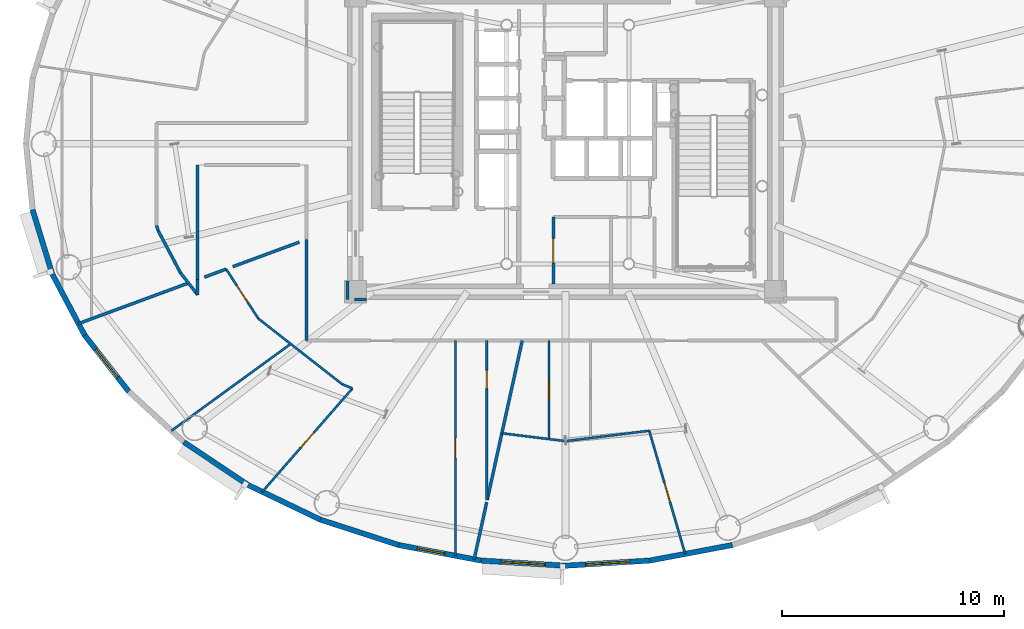
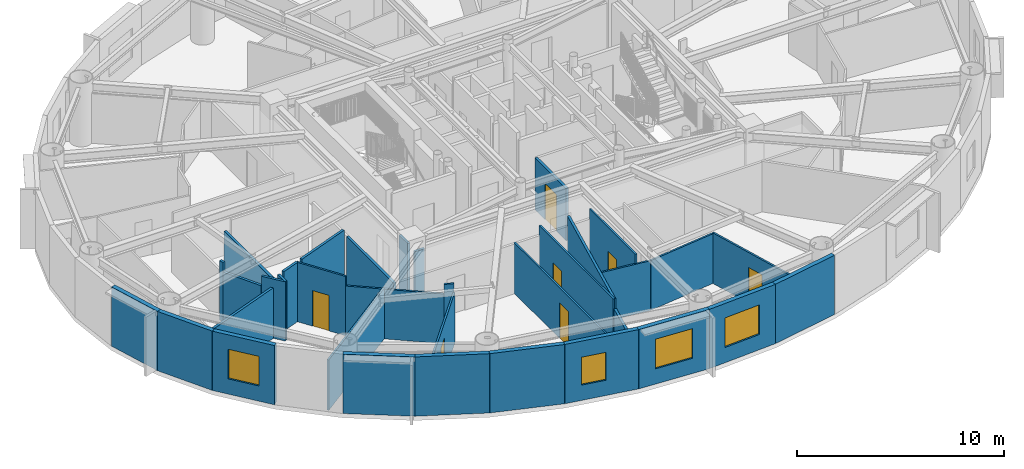
# One storey, part 9 of 22: 35 walls, 7 doors, 4 windows, 11 openings.
"""IFC4 building model written with IfcOpenShell, lengths in metres."""

from ifc_helpers import new_model, si_unit, direction, frame, frame_2d, origin, origin_2d, place, context, subcontext, project, spatial, rectangle, extrude, source, transform, mapped, material, layer, layer_set, type_object, element, fill, save


model = new_model("IFC4")

# Units and contexts
model_context = context("Model", 3, precision=1e-05, world=origin(), true_north=direction((0.0, 1.0)))
body_context = subcontext(model_context, "Body", "Model", "MODEL_VIEW")
ifc_project = project(units=[si_unit("LENGTHUNIT", "METRE"), si_unit("AREAUNIT", "SQUARE_METRE"), si_unit("VOLUMEUNIT", "CUBIC_METRE"), si_unit("PLANEANGLEUNIT", "RADIAN"), si_unit("MASSUNIT", "GRAM", prefix="KILO")], contexts=[model_context])

# Site, building, storey
site_placement = place(None, origin())
site = spatial("IfcSite", under=ifc_project, at=site_placement, CompositionType="ELEMENT")
building_placement = place(site_placement, origin())
building = spatial("IfcBuilding", under=site, at=building_placement, Name="Linh Dai School and Residence Tower", CompositionType="ELEMENT")
storey_placement = place(building_placement, frame((0.0, 0.0, 214.050048828125)))
storey = spatial("IfcBuildingStorey", under=building, at=storey_placement, Name="L52", CompositionType="ELEMENT", Elevation=214.050048828125)

# Walls
ifc_material_1 = material(Name="Precast Concrete B45 (C35/45)", Category="concrete")
ifc_layer_1 = layer(ifc_material_1, 0.239990234375)
ifc_layer_set_1 = layer_set([ifc_layer_1], Name="Precast Concrete B45 (C35/45)")
wall_type_1 = type_object("IfcWallType", Name="EW-TC-240", PredefinedType="SOLIDWALL", material=ifc_layer_set_1)
wall_1_placement = place(storey_placement, frame((12.90966796875, 21.14404296875, 0.0), z_axis=(0.0, 0.0, 1.0), x_axis=(-0.293132907334, 0.95607170162, 0.0)))
element("IfcWall", 1, at=wall_1_placement, inside=storey, type_object=wall_type_1, Name="L52 Terracotta Exterior Wall 22", PredefinedType="SOLIDWALL", context=body_context, shape_type="SweptSolid", body=[
    extrude(rectangle(XDim=3.02490234375, YDim=0.239990234375, at=frame_2d((1.512451171875, 0.0))), origin(), (0.0, 0.0, 1.0), 3.5),
])
wall_2_placement = place(storey_placement, frame((14.3642578125, 18.394775390625, 0.0), z_axis=(0.0, 0.0, 1.0), x_axis=(-0.46766049993, 0.883908172157, 0.0)))
element("IfcWall", 2, at=wall_2_placement, inside=storey, type_object=wall_type_1, Name="L52 Terracotta Exterior Wall 23", PredefinedType="SOLIDWALL", context=body_context, shape_type="SweptSolid", body=[
    extrude(rectangle(XDim=3.1103515625, YDim=0.239990234375, at=frame_2d((1.55517578125, 0.0))), origin(), (0.0, 0.0, 1.0), 3.5),
])

# Wall, opening, window
wall_3_placement = place(storey_placement, frame((16.3515625, 15.85546875, 0.0), z_axis=(0.0, 0.0, 1.0), x_axis=(-0.616312344705, 0.787501805562, 0.0)))
wall_3 = element("IfcWall", 3, at=wall_3_placement, inside=storey, type_object=wall_type_1, Name="L52 Terracotta Exterior Wall 24", PredefinedType="SOLIDWALL", context=body_context, shape_type="SweptSolid", body=[
    extrude(rectangle(XDim=3.224609375, YDim=0.239990234375, at=frame_2d((1.6123046875, 0.0))), origin(), (0.0, 0.0, 1.0), 3.5),
])
opening_1_placement = place(wall_3_placement, frame((0.81201171875, 0.0, 0.89990234375)))
opening_1 = element("IfcOpeningElement", 4, at=opening_1_placement, cuts=wall_3, Name="Opening W2", PredefinedType="OPENING", context=body_context, shape_type="SweptSolid", body=[
    extrude(rectangle(XDim=1.60009765625, YDim=1.75, at=origin_2d()), frame((0.800048828125, 0.1298828125, 0.875), z_axis=(0.0, -1.0, 0.0), x_axis=(1.0, 0.0, 0.0)), (0.0, 0.0, 1.0), 0.260009765625),
])
ifc_material_2 = material(Name="Double Low-E Insulated Glazing", Category="glass")
window_type_1 = type_object("IfcWindowType", Name="WN-RES-1600x1750", PartitioningType="DOUBLE_PANEL_VERTICAL", PredefinedType="WINDOW", material=ifc_material_2)
shared_shape_1 = source(origin(), body_context, "Body", "SweptSolid", [
    extrude(rectangle(XDim=1.60009765625, YDim=1.75, at=origin_2d()), frame((0.800048828125, 0.030029296875, 0.875), z_axis=(0.0, -1.0, 0.0), x_axis=(1.0, 0.0, 0.0)), (0.0, 0.0, 1.0), 0.06005859375),
])
window_1_placement = place(opening_1_placement, origin())
window_1 = element("IfcWindow", 5, at=window_1_placement, inside=storey, type_object=window_type_1, Name="L52 Exterior Window 24.1", OverallHeight=1.75, OverallWidth=1.60009765625, PartitioningType="DOUBLE_PANEL_VERTICAL", PredefinedType="WINDOW", context=body_context, shape_type="MappedRepresentation", body=[
    mapped(shared_shape_1, transform((0.0, 0.0, 0.0), x_axis=(1.0, 0.0, 0.0), y_axis=(0.0, 1.0, 0.0), z_axis=(0.0, 0.0, 1.0), scale=1.0)),
])
fill(opening_1, window_1)

# Walls
wall_4_placement = place(storey_placement, frame((21.719970703125, 11.65234375, 0.0), z_axis=(0.0, 0.0, 1.0), x_axis=(-0.831262496074, 0.555880079352, 0.0)))
element("IfcWall", 6, at=wall_4_placement, inside=storey, type_object=wall_type_1, Name="L52 Terracotta Exterior Wall 26", PredefinedType="SOLIDWALL", context=body_context, shape_type="SweptSolid", body=[
    extrude(rectangle(XDim=3.484130859375, YDim=0.239990234375, at=frame_2d((1.7421875, 0.0))), origin(), (0.0, 0.0, 1.0), 3.5),
])
wall_5_placement = place(storey_placement, frame((24.968994140625, 10.093505859375, 0.0), z_axis=(0.0, 0.0, 1.0), x_axis=(-0.901598104751, 0.432574684313, 0.0)))
element("IfcWall", 7, at=wall_5_placement, inside=storey, type_object=wall_type_1, Name="L52 Terracotta Exterior Wall 27", PredefinedType="SOLIDWALL", context=body_context, shape_type="SweptSolid", body=[
    extrude(rectangle(XDim=3.603515625, YDim=0.239990234375, at=frame_2d((1.8017578125, 0.0))), origin(), (0.0, 0.0, 1.0), 3.5),
])
wall_6_placement = place(storey_placement, frame((28.49072265625, 8.951171875, 0.0), z_axis=(0.0, 0.0, 1.0), x_axis=(-0.951210789182, 0.308541787354, 0.0)))
element("IfcWall", 8, at=wall_6_placement, inside=storey, type_object=wall_type_1, Name="L52 Terracotta Exterior Wall 28", PredefinedType="SOLIDWALL", context=body_context, shape_type="SweptSolid", body=[
    extrude(rectangle(XDim=3.702392578125, YDim=0.239990234375, at=frame_2d((1.85107421875, 0.0))), origin(), (0.0, 0.0, 1.0), 3.5),
])

# Wall, opening, window
wall_7_placement = place(storey_placement, frame((32.198486328125, 8.254150390625, 0.0), z_axis=(0.0, 0.0, 1.0), x_axis=(-0.982784898575, 0.184753465822, 0.0)))
wall_7 = element("IfcWall", 9, at=wall_7_placement, inside=storey, type_object=wall_type_1, Name="L52 Terracotta Exterior Wall 29", PredefinedType="SOLIDWALL", context=body_context, shape_type="SweptSolid", body=[
    extrude(rectangle(XDim=3.772705078125, YDim=0.239990234375, at=frame_2d((1.88623046875, 0.0))), origin(), (0.0, 0.0, 1.0), 3.5),
])
opening_2_placement = place(wall_7_placement, frame((1.663818359375, 0.0, 0.89990234375)))
opening_2 = element("IfcOpeningElement", 10, at=opening_2_placement, cuts=wall_7, Name="Opening W3", PredefinedType="OPENING", context=body_context, shape_type="SweptSolid", body=[
    extrude(rectangle(XDim=1.25, YDim=1.64990234375, at=origin_2d()), frame((0.625, 0.1298828125, 0.824951171875), z_axis=(0.0, -1.0, 0.0), x_axis=(1.0, 0.0, 0.0)), (0.0, 0.0, 1.0), 0.260009765625),
])
window_type_2 = type_object("IfcWindowType", Name="WN-RES-1250x1650", PartitioningType="SINGLE_PANEL", PredefinedType="WINDOW", material=ifc_material_2)
shared_shape_2 = source(origin(), body_context, "Body", "SweptSolid", [
    extrude(rectangle(XDim=1.25, YDim=1.64990234375, at=origin_2d()), frame((0.625, 0.030029296875, 0.824951171875), z_axis=(0.0, -1.0, 0.0), x_axis=(1.0, 0.0, 0.0)), (0.0, 0.0, 1.0), 0.06005859375),
])
window_2_placement = place(opening_2_placement, origin())
window_2 = element("IfcWindow", 11, at=window_2_placement, inside=storey, type_object=window_type_2, Name="L52 Exterior Window 29.1", OverallHeight=1.64990234375, OverallWidth=1.25, PartitioningType="SINGLE_PANEL", PredefinedType="WINDOW", context=body_context, shape_type="MappedRepresentation", body=[
    mapped(shared_shape_2, transform((0.0, 0.0, 0.0), x_axis=(1.0, 0.0, 0.0), y_axis=(0.0, 1.0, 0.0), z_axis=(0.0, 0.0, 1.0), scale=1.0)),
])
fill(opening_2, window_2)

wall_8_placement = place(storey_placement, frame((36.0, 8.02001953125, 0.0), z_axis=(0.0, 0.0, 1.0), x_axis=(-0.998108785312, 0.06147237333, 0.0)))
wall_8 = element("IfcWall", 12, at=wall_8_placement, inside=storey, type_object=wall_type_1, Name="L52 Terracotta Exterior Wall 30", PredefinedType="SOLIDWALL", context=body_context, shape_type="SweptSolid", body=[
    extrude(rectangle(XDim=3.808837890625, YDim=0.239990234375, at=frame_2d((1.904296875, 0.0))), origin(), (0.0, 0.0, 1.0), 3.5),
])
opening_3_placement = place(wall_8_placement, frame((0.904296875, 0.0, 0.89990234375)))
opening_3 = element("IfcOpeningElement", 13, at=opening_3_placement, cuts=wall_8, Name="Opening W1", PredefinedType="OPENING", context=body_context, shape_type="SweptSolid", body=[
    extrude(rectangle(XDim=2.0, YDim=1.75, at=origin_2d()), frame((1.0, 0.1298828125, 0.875), z_axis=(0.0, -1.0, 0.0), x_axis=(1.0, 0.0, 0.0)), (0.0, 0.0, 1.0), 0.260009765625),
])
window_type_3 = type_object("IfcWindowType", Name="WN-RES-2000x1750", PartitioningType="DOUBLE_PANEL_VERTICAL", PredefinedType="WINDOW", material=ifc_material_2)
shared_shape_3 = source(origin(), body_context, "Body", "SweptSolid", [
    extrude(rectangle(XDim=2.0, YDim=1.75, at=origin_2d()), frame((1.0, 0.030029296875, 0.875), z_axis=(0.0, -1.0, 0.0), x_axis=(1.0, 0.0, 0.0)), (0.0, 0.0, 1.0), 0.06005859375),
])
window_3_placement = place(opening_3_placement, origin())
window_3 = element("IfcWindow", 14, at=window_3_placement, inside=storey, type_object=window_type_3, Name="L52 Exterior Window 30.1", OverallHeight=1.75, OverallWidth=2.0, PartitioningType="DOUBLE_PANEL_VERTICAL", PredefinedType="WINDOW", context=body_context, shape_type="MappedRepresentation", body=[
    mapped(shared_shape_3, transform((0.0, 0.0, 0.0), x_axis=(1.0, 0.0, 0.0), y_axis=(0.0, 1.0, 0.0), z_axis=(0.0, 0.0, 1.0), scale=1.0)),
])
fill(opening_3, window_3)

wall_9_placement = place(storey_placement, frame((39.801513671875, 8.254150390625, 0.0), z_axis=(0.0, 0.0, 1.0), x_axis=(-0.998108785312, -0.06147237333, 0.0)))
wall_9 = element("IfcWall", 15, at=wall_9_placement, inside=storey, type_object=wall_type_1, Name="L52 Terracotta Exterior Wall 31", PredefinedType="SOLIDWALL", context=body_context, shape_type="SweptSolid", body=[
    extrude(rectangle(XDim=3.808837890625, YDim=0.239990234375, at=frame_2d((1.904296875, 0.0))), origin(), (0.0, 0.0, 1.0), 3.5),
])
opening_4_placement = place(wall_9_placement, frame((0.904541015625, 0.0, 0.89990234375)))
opening_4 = element("IfcOpeningElement", 16, at=opening_4_placement, cuts=wall_9, Name="Opening W1", PredefinedType="OPENING", context=body_context, shape_type="SweptSolid", body=[
    extrude(rectangle(XDim=2.0, YDim=1.75, at=origin_2d()), frame((1.0, 0.1298828125, 0.875), z_axis=(0.0, -1.0, 0.0), x_axis=(1.0, 0.0, 0.0)), (0.0, 0.0, 1.0), 0.260009765625),
])
window_4_placement = place(opening_4_placement, origin())
window_4 = element("IfcWindow", 17, at=window_4_placement, inside=storey, type_object=window_type_3, Name="L52 Exterior Window 31.1", OverallHeight=1.75, OverallWidth=2.0, PartitioningType="DOUBLE_PANEL_VERTICAL", PredefinedType="WINDOW", context=body_context, shape_type="MappedRepresentation", body=[
    mapped(shared_shape_3, transform((0.0, 0.0, 0.0), x_axis=(1.0, 0.0, 0.0), y_axis=(0.0, 1.0, 0.0), z_axis=(0.0, 0.0, 1.0), scale=1.0)),
])
fill(opening_4, window_4)

# Walls
wall_10_placement = place(storey_placement, frame((43.50927734375, 8.951171875, 0.0), z_axis=(0.0, 0.0, 1.0), x_axis=(-0.982784898575, -0.184753465822, 0.0)))
element("IfcWall", 18, at=wall_10_placement, inside=storey, type_object=wall_type_1, Name="L52 Terracotta Exterior Wall 32", PredefinedType="SOLIDWALL", context=body_context, shape_type="SweptSolid", body=[
    extrude(rectangle(XDim=3.772705078125, YDim=0.239990234375, at=frame_2d((1.88623046875, 0.0))), origin(), (0.0, 0.0, 1.0), 3.5),
])
ifc_material_3 = material(Name="Autoclaved Aerated Concrete Blockwork", Category="masonry")
ifc_layer_2 = layer(ifc_material_3, 0.135009765625)
ifc_layer_set_2 = layer_set([ifc_layer_2], Name="Autoclaved Aerated Concrete Blockwork")
wall_type_2 = type_object("IfcWallType", Name="IW-CORR-135-EI90", PredefinedType="PARTITIONING", material=ifc_layer_set_2)
wall_11_placement = place(storey_placement, frame((14.084716796875, 18.912109375, 0.0), z_axis=(0.0, 0.0, 1.0), x_axis=(0.938158194698, 0.346206877055, 0.0)))
element("IfcWall", 19, at=wall_11_placement, inside=storey, type_object=wall_type_2, Name="L52 Interior Partition Wall 004", PredefinedType="PARTITIONING", context=body_context, shape_type="SweptSolid", body=[
    extrude(rectangle(XDim=5.2783203125, YDim=0.135009765625, at=frame_2d((2.63916015625, 0.0))), origin(), (0.0, 0.0, 1.0), 2.98486328125),
])
wall_12_placement = place(storey_placement, frame((17.60009765625, 23.327880859375, 0.0), z_axis=(0.0, 0.0, 1.0), x_axis=(0.292875000845, -0.956150738053, 0.0)))
element("IfcWall", 20, at=wall_12_placement, inside=storey, type_object=wall_type_2, Name="L52 Interior Partition Wall 007", PredefinedType="PARTITIONING", context=body_context, shape_type="SweptSolid", body=[
    extrude(rectangle(XDim=0.226806640625, YDim=0.135009765625, at=frame_2d((0.11328125, 0.0))), origin(), (0.0, 0.0, 1.0), 3.5),
])
wall_13_placement = place(storey_placement, frame((17.66650390625, 23.111083984375, 0.0), z_axis=(0.0, 0.0, 1.0), x_axis=(0.467675622269, -0.883900171024, 0.0)))
element("IfcWall", 21, at=wall_13_placement, inside=storey, type_object=wall_type_2, Name="L52 Interior Partition Wall 009", PredefinedType="PARTITIONING", context=body_context, shape_type="SweptSolid", body=[
    extrude(rectangle(XDim=2.16845703125, YDim=0.135009765625, at=frame_2d((1.084228515625, 0.0))), origin(), (0.0, 0.0, 1.0), 2.93505859375),
])
wall_14_placement = place(storey_placement, frame((18.6806640625, 21.1943359375, 0.0), z_axis=(0.0, 0.0, 1.0), x_axis=(0.616239706802, -0.787558647823, 0.0)))
element("IfcWall", 22, at=wall_14_placement, inside=storey, type_object=wall_type_2, Name="L52 Interior Partition Wall 012", PredefinedType="PARTITIONING", context=body_context, shape_type="SweptSolid", body=[
    extrude(rectangle(XDim=1.248291015625, YDim=0.135009765625, at=frame_2d((0.6240234375, 0.0))), origin(), (0.0, 0.0, 1.0), 3.5),
])
wall_15_placement = place(storey_placement, frame((19.449951171875, 20.211181640625, 0.0), z_axis=(0.0, 0.0, 1.0), x_axis=(0.0, 1.0, 0.0)))
element("IfcWall", 23, at=wall_15_placement, inside=storey, type_object=wall_type_2, Name="L52 Interior Partition Wall 014", PredefinedType="PARTITIONING", context=body_context, shape_type="SweptSolid", body=[
    extrude(rectangle(XDim=0.680908203125, YDim=0.135009765625, at=frame_2d((0.34033203125, 0.0))), origin(), (0.0, 0.0, 1.0), 3.5),
])
wall_16_placement = place(storey_placement, frame((24.35009765625, 18.14990234375, 0.0), z_axis=(0.0, 0.0, 1.0), x_axis=(0.0, 1.0, 0.0)))
element("IfcWall", 24, at=wall_16_placement, inside=storey, type_object=wall_type_2, Name="L52 Interior Partition Wall 020", PredefinedType="PARTITIONING", context=body_context, shape_type="SweptSolid", body=[
    extrude(rectangle(XDim=4.550537109375, YDim=0.135009765625, at=frame_2d((2.275390625, 0.0))), origin(), (0.0, 0.0, 1.0), 2.93505859375),
])
wall_17_placement = place(storey_placement, frame((31.890625, 8.30712890625, 0.0), z_axis=(0.0, 0.0, 1.0), x_axis=(0.214700779338, 0.976679873526, 0.0)))
element("IfcWall", 25, at=wall_17_placement, inside=storey, type_object=wall_type_2, Name="L52 Interior Partition Wall 034", PredefinedType="PARTITIONING", context=body_context, shape_type="SweptSolid", body=[
    extrude(rectangle(XDim=2.63232421875, YDim=0.135009765625, at=frame_2d((1.316162109375, 0.0))), origin(), (0.0, 0.0, 1.0), 2.98486328125),
])
wall_18_placement = place(storey_placement, frame((32.47900390625, 10.98291015625, 0.0), z_axis=(0.0, 0.0, 1.0), x_axis=(0.214685976808, 0.976683127407, 0.0)))
element("IfcWall", 26, at=wall_18_placement, inside=storey, type_object=wall_type_2, Name="L52 Interior Partition Wall 042", PredefinedType="PARTITIONING", context=body_context, shape_type="SweptSolid", body=[
    extrude(rectangle(XDim=7.33837890625, YDim=0.135009765625, at=frame_2d((3.669189453125, 0.0))), origin(), (0.0, 0.0, 1.0), 3.5),
])

# Wall, opening, door
wall_19_placement = place(storey_placement, frame((35.449951171875, 20.699951171875, 0.0), z_axis=(0.0, 0.0, 1.0), x_axis=(0.0, 1.0, 0.0)))
wall_19 = element("IfcWall", 27, at=wall_19_placement, inside=storey, type_object=wall_type_2, Name="L52 Interior Partition Wall 052", PredefinedType="PARTITIONING", context=body_context, shape_type="SweptSolid", body=[
    extrude(rectangle(XDim=3.0, YDim=0.135009765625, at=frame_2d((1.5, 0.0))), origin(), (0.0, 0.0, 1.0), 3.0849609375),
])
opening_5_placement = place(wall_19_placement, frame((0.949951171875, 0.0, 0.0)))
opening_5 = element("IfcOpeningElement", 28, at=opening_5_placement, cuts=wall_19, Name="Opening D07", PredefinedType="OPENING", context=body_context, shape_type="SweptSolid", body=[
    extrude(rectangle(XDim=1.10009765625, YDim=2.14990234375, at=origin_2d()), frame((0.550048828125, 0.07763671875, 1.074951171875), z_axis=(0.0, -1.0, 0.0), x_axis=(1.0, 0.0, 0.0)), (0.0, 0.0, 1.0), 0.155029296875),
])
ifc_material_4 = material(Name="Fire-Rated Louvred Steel Plant Door", Category="steel")
door_type_1 = type_object("IfcDoorType", Name="DR-PLT-1100x2150-FD60S", OperationType="NOTDEFINED", PredefinedType="DOOR", material=ifc_material_4)
shared_shape_4 = source(origin(), body_context, "Body", "SweptSolid", [
    extrude(rectangle(XDim=1.10009765625, YDim=2.14990234375, at=origin_2d()), frame((0.550048828125, 0.02490234375, 1.074951171875), z_axis=(0.0, -1.0, 0.0), x_axis=(1.0, 0.0, 0.0)), (0.0, 0.0, 1.0), 0.050048828125),
])
door_1_placement = place(opening_5_placement, origin())
door_1 = element("IfcDoor", 29, at=door_1_placement, inside=storey, type_object=door_type_1, Name="L52 Floor Electrical Switchroom Door", OperationType="SINGLE_SWING_LEFT", OverallHeight=2.14990234375, OverallWidth=1.10009765625, PredefinedType="DOOR", context=body_context, shape_type="MappedRepresentation", body=[
    mapped(shared_shape_4, transform((0.0, 0.0, 0.0), x_axis=(1.0, 0.0, 0.0), y_axis=(0.0, 1.0, 0.0), z_axis=(0.0, 0.0, 1.0), scale=1.0)),
])
fill(opening_5, door_1)

# Walls
wall_20_placement = place(storey_placement, frame((19.449951171875, 26.050048828125, 0.0), z_axis=(0.0, 0.0, 1.0), x_axis=(0.0, -1.0, 0.0)))
element("IfcWall", 30, at=wall_20_placement, inside=storey, type_object=wall_type_2, Name="L52 Interior Partition Wall 104", PredefinedType="PARTITIONING", context=body_context, shape_type="SweptSolid", body=[
    extrude(rectangle(XDim=5.14794921875, YDim=0.135009765625, at=frame_2d((2.573974609375, 0.0))), origin(), (0.0, 0.0, 1.0), 2.93505859375),
])
wall_21_placement = place(storey_placement, frame((26.199951171875, 20.840087890625, 0.0), z_axis=(0.0, 0.0, 1.0), x_axis=(0.0, -1.0, 0.0)))
element("IfcWall", 31, at=wall_21_placement, inside=storey, type_object=wall_type_2, Name="L52 Interior Partition Wall 109", PredefinedType="PARTITIONING", context=body_context, shape_type="SweptSolid", body=[
    extrude(rectangle(XDim=0.840087890625, YDim=0.135009765625, at=frame_2d((0.419921875, 0.0))), origin(), (0.0, 0.0, 1.0), 3.5),
])
wall_22_placement = place(storey_placement, frame((26.507568359375, 20.0, 0.0), z_axis=(0.0, 0.0, 1.0), x_axis=(1.0, 0.0, 0.0)))
element("IfcWall", 32, at=wall_22_placement, inside=storey, type_object=wall_type_2, Name="L52 Interior Partition Wall 110", PredefinedType="PARTITIONING", context=body_context, shape_type="SweptSolid", body=[
    extrude(rectangle(XDim=0.532470703125, YDim=0.135009765625, at=frame_2d((0.26611328125, 0.0))), origin(), (0.0, 0.0, 1.0), 2.93505859375),
])
wall_23_placement = place(storey_placement, frame((21.03125, 21.475830078125, 0.0), z_axis=(0.0, 0.0, 1.0), x_axis=(0.938166504217, 0.346184358926, 0.0)))
element("IfcWall", 33, at=wall_23_placement, inside=storey, type_object=wall_type_2, Name="L52 Interior Partition Wall 114", PredefinedType="PARTITIONING", context=body_context, shape_type="SweptSolid", body=[
    extrude(rectangle(XDim=3.1884765625, YDim=0.135009765625, at=frame_2d((1.59423828125, 0.0))), origin(), (0.0, 0.0, 1.0), 3.5),
])
wall_24_placement = place(storey_placement, frame((19.757568359375, 21.005615234375, 0.0), z_axis=(0.0, 0.0, 1.0), x_axis=(0.938130503792, 0.346281905179, 0.0)))
element("IfcWall", 34, at=wall_24_placement, inside=storey, type_object=wall_type_2, Name="L52 Interior Partition Wall 115", PredefinedType="PARTITIONING", context=body_context, shape_type="SweptSolid", body=[
    extrude(rectangle(XDim=1.0400390625, YDim=0.135009765625, at=frame_2d((0.52001953125, 0.0))), origin(), (0.0, 0.0, 1.0), 3.5),
])
ifc_material_5 = material(Name="Gypsum Plasterboard Acoustic Stud Partition", Category="masonry")
ifc_layer_3 = layer(ifc_material_5, 0.10009765625)
ifc_layer_set_3 = layer_set([ifc_layer_3], Name="Gypsum Plasterboard Acoustic Stud Partition")
wall_type_3 = type_object("IfcWallType", Name="IW-UNIT-100", PredefinedType="PARTITIONING", material=ifc_layer_set_3)
wall_25_placement = place(storey_placement, frame((18.26806640625, 14.091796875, 0.0), z_axis=(0.0, 0.0, 1.0), x_axis=(0.808481640117, 0.588521399436, 0.0)))
element("IfcWall", 35, at=wall_25_placement, inside=storey, type_object=wall_type_3, Name="L52 Interior Partition Wall 010", PredefinedType="PARTITIONING", context=body_context, shape_type="SweptSolid", body=[
    extrude(rectangle(XDim=6.640625, YDim=0.10009765625, at=frame_2d((3.3203125, 0.0))), origin(), (0.0, 0.0, 1.0), 2.98486328125),
])

# Wall, opening, door
wall_26_placement = place(storey_placement, frame((20.733154296875, 21.36572265625, 0.0), z_axis=(0.0, 0.0, 1.0), x_axis=(0.545375949152, -0.838191549758, 0.0)))
wall_26 = element("IfcWall", 36, at=wall_26_placement, inside=storey, type_object=wall_type_3, Name="L52 Interior Partition Wall 016", PredefinedType="PARTITIONING", context=body_context, shape_type="SweptSolid", body=[
    extrude(rectangle(XDim=2.656494140625, YDim=0.10009765625, at=frame_2d((1.328125, 0.0))), origin(), (0.0, 0.0, 1.0), 3.5),
])
opening_6_placement = place(wall_26_placement, frame((0.878173828125, 0.0, 0.0)))
opening_6 = element("IfcOpeningElement", 37, at=opening_6_placement, cuts=wall_26, Name="Opening D05", PredefinedType="OPENING", context=body_context, shape_type="SweptSolid", body=[
    extrude(rectangle(XDim=0.89990234375, YDim=2.10009765625, at=origin_2d()), frame((0.449951171875, 0.06005859375, 1.050048828125), z_axis=(0.0, -1.0, 0.0), x_axis=(1.0, 0.0, 0.0)), (0.0, 0.0, 1.0), 0.1201171875),
])
ifc_material_6 = material(Name="Engineered Timber Internal Door", Category="wood")
door_type_2 = type_object("IfcDoorType", Name="DR-INT-900x2100", OperationType="NOTDEFINED", PredefinedType="DOOR", material=ifc_material_6)
shared_shape_5 = source(origin(), body_context, "Body", "SweptSolid", [
    extrude(rectangle(XDim=0.89990234375, YDim=2.10009765625, at=origin_2d()), frame((0.449951171875, 0.02490234375, 1.050048828125), z_axis=(0.0, -1.0, 0.0), x_axis=(1.0, 0.0, 0.0)), (0.0, 0.0, 1.0), 0.050048828125),
])
door_2_placement = place(opening_6_placement, origin())
door_2 = element("IfcDoor", 38, at=door_2_placement, inside=storey, type_object=door_type_2, Name="L52 Apartment U5205 Principal Bedroom 1 Door", OperationType="SINGLE_SWING_LEFT", OverallHeight=2.10009765625, OverallWidth=0.89990234375, PredefinedType="DOOR", context=body_context, shape_type="MappedRepresentation", body=[
    mapped(shared_shape_5, transform((0.0, 0.0, 0.0), x_axis=(1.0, 0.0, 0.0), y_axis=(0.0, 1.0, 0.0), z_axis=(0.0, 0.0, 1.0), scale=1.0)),
])
fill(opening_6, door_2)

# Wall
wall_27_placement = place(storey_placement, frame((22.181884765625, 19.13916015625, 0.0), z_axis=(0.0, 0.0, 1.0), x_axis=(0.787386902975, -0.616459134917, 0.0)))
element("IfcWall", 39, at=wall_27_placement, inside=storey, type_object=wall_type_3, Name="L52 Interior Partition Wall 017", PredefinedType="PARTITIONING", context=body_context, shape_type="SweptSolid", body=[
    extrude(rectangle(XDim=4.799072265625, YDim=0.10009765625, at=frame_2d((2.3994140625, 0.0))), origin(), (0.0, 0.0, 1.0), 2.93505859375),
])

# Wall, opening, door
wall_28_placement = place(storey_placement, frame((22.354736328125, 11.34228515625, 0.0), z_axis=(0.0, 0.0, 1.0), x_axis=(0.657017747133, 0.753875108989, 0.0)))
wall_28 = element("IfcWall", 40, at=wall_28_placement, inside=storey, type_object=wall_type_3, Name="L52 Interior Partition Wall 019", PredefinedType="PARTITIONING", context=body_context, shape_type="SweptSolid", body=[
    extrude(rectangle(XDim=6.177978515625, YDim=0.10009765625, at=frame_2d((3.0888671875, 0.0))), origin(), (0.0, 0.0, 1.0), 2.98486328125),
])
opening_7_placement = place(wall_28_placement, frame((2.638916015625, 0.0, 0.0)))
opening_7 = element("IfcOpeningElement", 41, at=opening_7_placement, cuts=wall_28, Name="Opening D05", PredefinedType="OPENING", context=body_context, shape_type="SweptSolid", body=[
    extrude(rectangle(XDim=0.89990234375, YDim=2.10009765625, at=origin_2d()), frame((0.449951171875, 0.06005859375, 1.050048828125), z_axis=(0.0, -1.0, 0.0), x_axis=(1.0, 0.0, 0.0)), (0.0, 0.0, 1.0), 0.1201171875),
])
door_3_placement = place(opening_7_placement, origin())
door_3 = element("IfcDoor", 42, at=door_3_placement, inside=storey, type_object=door_type_2, Name="L52 Apartment U5205 Study Door", OperationType="SINGLE_SWING_RIGHT", OverallHeight=2.10009765625, OverallWidth=0.89990234375, PredefinedType="DOOR", context=body_context, shape_type="MappedRepresentation", body=[
    mapped(shared_shape_5, transform((0.0, 0.0, 0.0), x_axis=(1.0, 0.0, 0.0), y_axis=(0.0, 1.0, 0.0), z_axis=(0.0, 0.0, 1.0), scale=1.0)),
])
fill(opening_7, door_3)

# Wall
wall_29_placement = place(storey_placement, frame((25.960693359375, 16.1806640625, 0.0), z_axis=(0.0, 0.0, 1.0), x_axis=(0.928718060564, -0.370786682585, 0.0)))
element("IfcWall", 43, at=wall_29_placement, inside=storey, type_object=wall_type_3, Name="L52 Interior Partition Wall 024", PredefinedType="PARTITIONING", context=body_context, shape_type="SweptSolid", body=[
    extrude(rectangle(XDim=0.48779296875, YDim=0.10009765625, at=frame_2d((0.243896484375, 0.0))), origin(), (0.0, 0.0, 1.0), 3.5),
])

# Wall, opening, door
wall_30_placement = place(storey_placement, frame((31.049072265625, 8.46533203125, 0.0), z_axis=(0.0, 0.0, 1.0), x_axis=(0.0, 1.0, 0.0)))
wall_30 = element("IfcWall", 44, at=wall_30_placement, inside=storey, type_object=wall_type_3, Name="L52 Interior Partition Wall 031", PredefinedType="PARTITIONING", context=body_context, shape_type="SweptSolid", body=[
    extrude(rectangle(XDim=9.6845703125, YDim=0.10009765625, at=frame_2d((4.84228515625, 0.0))), origin(), (0.0, 0.0, 1.0), 2.98486328125),
])
opening_8_placement = place(wall_30_placement, frame((4.392333984375, 0.0, 0.0)))
opening_8 = element("IfcOpeningElement", 45, at=opening_8_placement, cuts=wall_30, Name="Opening D05", PredefinedType="OPENING", context=body_context, shape_type="SweptSolid", body=[
    extrude(rectangle(XDim=0.89990234375, YDim=2.10009765625, at=origin_2d()), frame((0.449951171875, 0.06005859375, 1.050048828125), z_axis=(0.0, -1.0, 0.0), x_axis=(1.0, 0.0, 0.0)), (0.0, 0.0, 1.0), 0.1201171875),
])
door_4_placement = place(opening_8_placement, origin())
door_4 = element("IfcDoor", 46, at=door_4_placement, inside=storey, type_object=door_type_2, Name="L52 Apartment U5205 Kitchen Door", OperationType="SINGLE_SWING_LEFT", OverallHeight=2.10009765625, OverallWidth=0.89990234375, PredefinedType="DOOR", context=body_context, shape_type="MappedRepresentation", body=[
    mapped(shared_shape_5, transform((0.0, 0.0, 0.0), x_axis=(1.0, 0.0, 0.0), y_axis=(0.0, 1.0, 0.0), z_axis=(0.0, 0.0, 1.0), scale=1.0)),
])
fill(opening_8, door_4)

wall_31_placement = place(storey_placement, frame((32.455810546875, 10.9853515625, 0.0), z_axis=(0.0, 0.0, 1.0), x_axis=(0.0, 1.0, 0.0)))
wall_31 = element("IfcWall", 47, at=wall_31_placement, inside=storey, type_object=wall_type_3, Name="L52 Interior Partition Wall 041", PredefinedType="PARTITIONING", context=body_context, shape_type="SweptSolid", body=[
    extrude(rectangle(XDim=7.16455078125, YDim=0.10009765625, at=frame_2d((3.582275390625, 0.0))), origin(), (0.0, 0.0, 1.0), 3.5),
])
opening_9_placement = place(wall_31_placement, frame((5.003662109375, 0.0, 0.0)))
opening_9 = element("IfcOpeningElement", 48, at=opening_9_placement, cuts=wall_31, Name="Opening D06", PredefinedType="OPENING", context=body_context, shape_type="SweptSolid", body=[
    extrude(rectangle(XDim=0.820068359375, YDim=2.10009765625, at=origin_2d()), frame((0.41015625, 0.06005859375, 1.050048828125), z_axis=(0.0, -1.0, 0.0), x_axis=(1.0, 0.0, 0.0)), (0.0, 0.0, 1.0), 0.1201171875),
])
ifc_material_7 = material(Name="Moisture-Resistant Timber Bathroom Door", Category="wood")
door_type_3 = type_object("IfcDoorType", Name="DR-WET-820x2100", OperationType="NOTDEFINED", PredefinedType="DOOR", material=ifc_material_7)
shared_shape_6 = source(origin(), body_context, "Body", "SweptSolid", [
    extrude(rectangle(XDim=0.820068359375, YDim=2.10009765625, at=origin_2d()), frame((0.41015625, 0.02490234375, 1.050048828125), z_axis=(0.0, -1.0, 0.0), x_axis=(1.0, 0.0, 0.0)), (0.0, 0.0, 1.0), 0.050048828125),
])
door_5_placement = place(opening_9_placement, origin())
door_5 = element("IfcDoor", 49, at=door_5_placement, inside=storey, type_object=door_type_3, Name="L52 Apartment U5205 Bathroom 1 Door", OperationType="SINGLE_SWING_RIGHT", OverallHeight=2.10009765625, OverallWidth=0.820068359375, PredefinedType="DOOR", context=body_context, shape_type="MappedRepresentation", body=[
    mapped(shared_shape_6, transform((0.0, 0.0, 0.0), x_axis=(1.0, 0.0, 0.0), y_axis=(0.0, 1.0, 0.0), z_axis=(0.0, 0.0, 1.0), scale=1.0)),
])
fill(opening_9, door_5)

# Wall
wall_32_placement = place(storey_placement, frame((33.13818359375, 13.9814453125, 0.0), z_axis=(0.0, 0.0, 1.0), x_axis=(0.99239465631, -0.123096897311, 0.0)))
element("IfcWall", 50, at=wall_32_placement, inside=storey, type_object=wall_type_3, Name="L52 Interior Partition Wall 043", PredefinedType="PARTITIONING", context=body_context, shape_type="SweptSolid", body=[
    extrude(rectangle(XDim=2.8837890625, YDim=0.10009765625, at=frame_2d((1.44189453125, 0.0))), origin(), (0.0, 0.0, 1.0), 2.93505859375),
])

# Wall, opening, door
wall_33_placement = place(storey_placement, frame((35.259033203125, 13.71826171875, 0.0), z_axis=(0.0, 0.0, 1.0), x_axis=(0.0, 1.0, 0.0)))
wall_33 = element("IfcWall", 51, at=wall_33_placement, inside=storey, type_object=wall_type_3, Name="L52 Interior Partition Wall 051", PredefinedType="PARTITIONING", context=body_context, shape_type="SweptSolid", body=[
    extrude(rectangle(XDim=4.431640625, YDim=0.10009765625, at=frame_2d((2.2158203125, 0.0))), origin(), (0.0, 0.0, 1.0), 3.5),
])
opening_10_placement = place(wall_33_placement, frame((1.805908203125, 0.0, 0.0)))
opening_10 = element("IfcOpeningElement", 52, at=opening_10_placement, cuts=wall_33, Name="Opening D06", PredefinedType="OPENING", context=body_context, shape_type="SweptSolid", body=[
    extrude(rectangle(XDim=0.820068359375, YDim=2.10009765625, at=origin_2d()), frame((0.41015625, 0.06005859375, 1.050048828125), z_axis=(0.0, -1.0, 0.0), x_axis=(1.0, 0.0, 0.0)), (0.0, 0.0, 1.0), 0.1201171875),
])
door_6_placement = place(opening_10_placement, origin())
door_6 = element("IfcDoor", 53, at=door_6_placement, inside=storey, type_object=door_type_3, Name="L52 Apartment U5206 Bathroom 1 Door", OperationType="SINGLE_SWING_RIGHT", OverallHeight=2.10009765625, OverallWidth=0.820068359375, PredefinedType="DOOR", context=body_context, shape_type="MappedRepresentation", body=[
    mapped(shared_shape_6, transform((0.0, 0.0, 0.0), x_axis=(1.0, 0.0, 0.0), y_axis=(0.0, 1.0, 0.0), z_axis=(0.0, 0.0, 1.0), scale=1.0)),
])
fill(opening_10, door_6)

# Wall
wall_34_placement = place(storey_placement, frame((36.0, 13.62646484375, 0.0), z_axis=(0.0, 0.0, 1.0), x_axis=(0.992397118202, 0.123077048159, 0.0)))
element("IfcWall", 54, at=wall_34_placement, inside=storey, type_object=wall_type_3, Name="L52 Interior Partition Wall 059", PredefinedType="PARTITIONING", context=body_context, shape_type="SweptSolid", body=[
    extrude(rectangle(XDim=3.796630859375, YDim=0.10009765625, at=frame_2d((1.8984375, 0.0))), origin(), (0.0, 0.0, 1.0), 2.93505859375),
])

# Wall, opening, door
wall_35_placement = place(storey_placement, frame((39.767822265625, 14.09375, 0.0), z_axis=(0.0, 0.0, 1.0), x_axis=(0.280219030024, -0.959936089129, 0.0)))
wall_35 = element("IfcWall", 55, at=wall_35_placement, inside=storey, type_object=wall_type_3, Name="L52 Interior Partition Wall 070", PredefinedType="PARTITIONING", context=body_context, shape_type="SweptSolid", body=[
    extrude(rectangle(XDim=5.778076171875, YDim=0.10009765625, at=frame_2d((2.88916015625, 0.0))), origin(), (0.0, 0.0, 1.0), 2.98486328125),
])
opening_11_placement = place(wall_35_placement, frame((2.43896484375, 0.0, 0.0)))
opening_11 = element("IfcOpeningElement", 56, at=opening_11_placement, cuts=wall_35, Name="Opening D05", PredefinedType="OPENING", context=body_context, shape_type="SweptSolid", body=[
    extrude(rectangle(XDim=0.89990234375, YDim=2.10009765625, at=origin_2d()), frame((0.449951171875, 0.06005859375, 1.050048828125), z_axis=(0.0, -1.0, 0.0), x_axis=(1.0, 0.0, 0.0)), (0.0, 0.0, 1.0), 0.1201171875),
])
door_7_placement = place(opening_11_placement, origin())
door_7 = element("IfcDoor", 57, at=door_7_placement, inside=storey, type_object=door_type_2, Name="L52 Apartment U5206 Principal Bedroom 1 Door", OperationType="SINGLE_SWING_RIGHT", OverallHeight=2.10009765625, OverallWidth=0.89990234375, PredefinedType="DOOR", context=body_context, shape_type="MappedRepresentation", body=[
    mapped(shared_shape_5, transform((0.0, 0.0, 0.0), x_axis=(1.0, 0.0, 0.0), y_axis=(0.0, 1.0, 0.0), z_axis=(0.0, 0.0, 1.0), scale=1.0)),
])
fill(opening_11, door_7)

save(model, "model.ifc")
